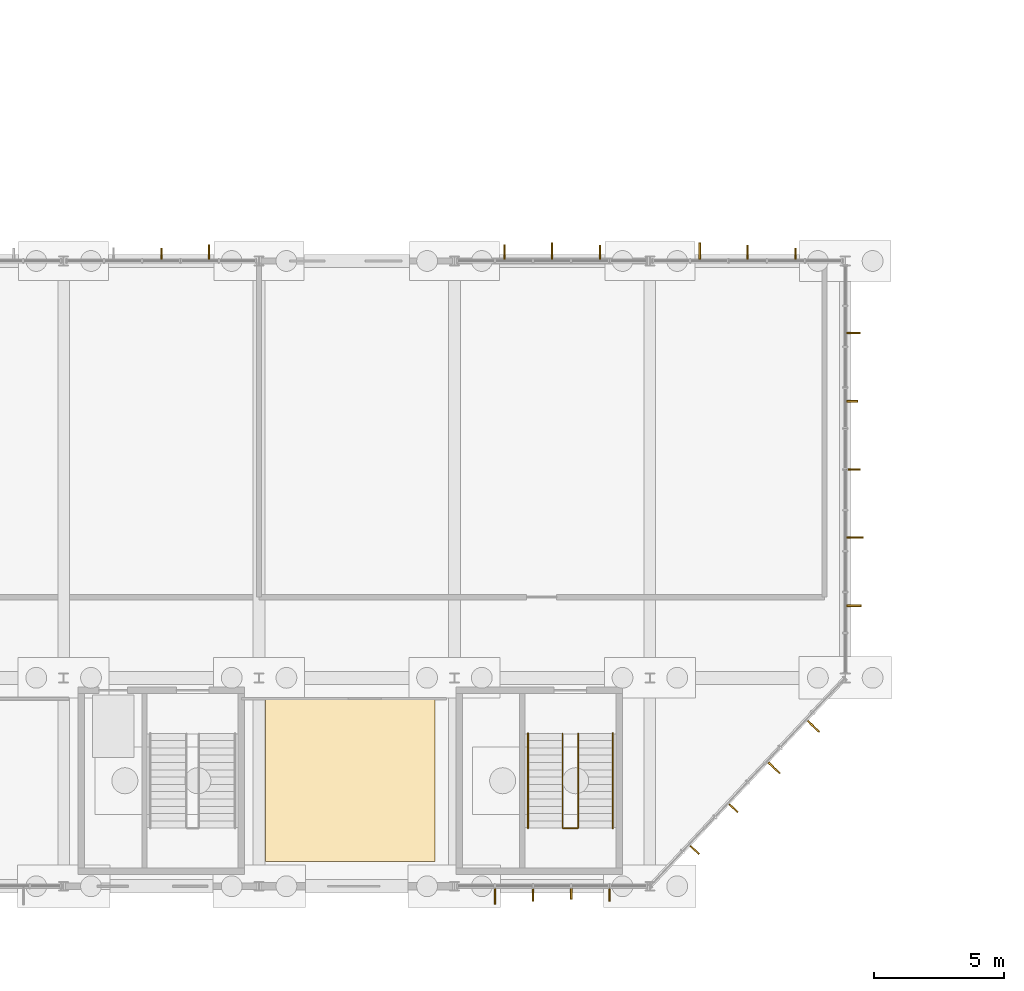
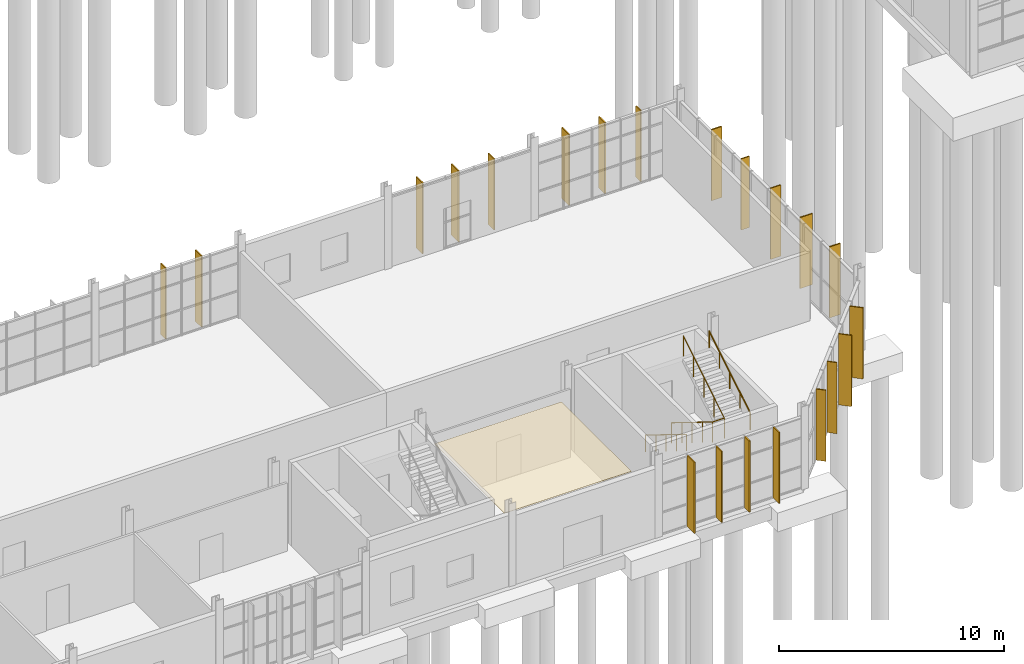
# One storey, part 122 of 136: 22 coverings, 3 railings.
"""IFC4 building model written with IfcOpenShell, lengths in metres."""

from ifc_helpers import new_model, si_unit, direction, frame, origin, origin_2d, place, context, subcontext, project, spatial, polyline, rectangle, circle, outline, extrude, material, layer, layer_set, type_object, element, save


model = new_model("IFC4")

# Units and contexts
model_context = context("Model", 3, precision=1e-05, world=origin(), true_north=direction((0.0, 1.0)))
body_context = subcontext(model_context, "Body", "Model", "MODEL_VIEW")
ifc_project = project(units=[si_unit("LENGTHUNIT", "METRE"), si_unit("AREAUNIT", "SQUARE_METRE"), si_unit("VOLUMEUNIT", "CUBIC_METRE"), si_unit("PLANEANGLEUNIT", "RADIAN"), si_unit("MASSUNIT", "GRAM", prefix="KILO")], contexts=[model_context])

# Site, building, storey
site_placement = place(None, origin())
site = spatial("IfcSite", under=ifc_project, at=site_placement, CompositionType="ELEMENT")
building_placement = place(site_placement, origin())
building = spatial("IfcBuilding", under=site, at=building_placement, Name="Solvenia Promenade Tram Depot", CompositionType="ELEMENT")
storey_placement = place(building_placement, origin())
storey = spatial("IfcBuildingStorey", under=building, at=storey_placement, Name="L00", CompositionType="ELEMENT", Elevation=0.0)

# Coverings
ifc_material_1 = material(Name="Mineral-fibre acoustic ceiling tile", Category="other")
ifc_layer_1 = layer(ifc_material_1, 0.02001953125, Name="Mineral-fibre acoustic ceiling tile", Category="other")
ifc_layer_set_1 = layer_set([ifc_layer_1], Name="Mineral-fibre acoustic ceiling tile")
covering_type_1 = type_object("IfcCoveringType", Name="Ceiling-Acoustic-20", PredefinedType="CEILING", material=ifc_layer_set_1)
covering_1_placement = place(storey_placement, frame((0.0, 0.0, 3.14990234375)))
element("IfcCovering", 1, at=covering_1_placement, inside=storey, type_object=covering_type_1, Name="First Aid Triage Room Acoustic Ceiling", PredefinedType="CEILING", context=body_context, shape_type="SweptSolid", body=[
    extrude(outline(polyline([(67.75, 0.949951171875), (74.25, 0.949951171875), (74.25, 7.159912109375), (67.75, 7.159912109375), (67.75, 0.949951171875)])), origin(), (0.0, 0.0, 1.0), 0.02001953125),
])
ifc_material_2 = material(Name="Anodized aluminium AW-6063 T6", Category="aluminium")
ifc_layer_2 = layer(ifc_material_2, 0.06005859375, Name="Anodized aluminium AW-6063 T6", Category="aluminium")
ifc_layer_set_2 = layer_set([ifc_layer_2], Name="Anodized aluminium AW-6063 T6")
covering_type_2 = type_object("IfcCoveringType", Name="Fin-Param-560", PredefinedType="CLADDING", material=ifc_layer_set_2)
covering_2_placement = place(storey_placement, frame((84.22216796875, 1.3916015625, 0.0), z_axis=(0.0, 0.0, 1.0), x_axis=(0.683910700219, 0.729565729819, 0.0)))
element("IfcCovering", 2, at=covering_2_placement, inside=storey, type_object=covering_type_2, Name="Parametric Vertical Brise-Soleil Fin 257", PredefinedType="CLADDING", context=body_context, shape_type="SweptSolid", body=[
    extrude(rectangle(XDim=0.06005859375, YDim=0.458984375, at=origin_2d()), origin(), (0.0, 0.0, 1.0), 3.85009765625),
])
covering_3_placement = place(storey_placement, frame((85.717041015625, 2.99658203125, 0.0), z_axis=(0.0, 0.0, 1.0), x_axis=(0.683910700219, 0.729565729819, 0.0)))
element("IfcCovering", 3, at=covering_3_placement, inside=storey, type_object=covering_type_2, Name="Parametric Vertical Brise-Soleil Fin 258", PredefinedType="CLADDING", context=body_context, shape_type="SweptSolid", body=[
    extrude(rectangle(XDim=0.06005859375, YDim=0.445068359375, at=origin_2d()), origin(), (0.0, 0.0, 1.0), 3.85009765625),
])
covering_4_placement = place(storey_placement, frame((87.273193359375, 4.5439453125, 0.0), z_axis=(0.0, 0.0, 1.0), x_axis=(0.683910700219, 0.729565729819, 0.0)))
element("IfcCovering", 4, at=covering_4_placement, inside=storey, type_object=covering_type_2, Name="Parametric Vertical Brise-Soleil Fin 259", PredefinedType="CLADDING", context=body_context, shape_type="SweptSolid", body=[
    extrude(rectangle(XDim=0.06005859375, YDim=0.59912109375, at=origin_2d()), origin(), (0.0, 0.0, 1.0), 3.85009765625),
])
covering_5_placement = place(storey_placement, frame((88.77978515625, 6.1376953125, 0.0), z_axis=(0.0, 0.0, 1.0), x_axis=(0.683910700219, 0.729565729819, 0.0)))
element("IfcCovering", 5, at=covering_5_placement, inside=storey, type_object=covering_type_2, Name="Parametric Vertical Brise-Soleil Fin 260", PredefinedType="CLADDING", context=body_context, shape_type="SweptSolid", body=[
    extrude(rectangle(XDim=0.06005859375, YDim=0.616943359375, at=origin_2d()), origin(), (0.0, 0.0, 1.0), 3.85009765625),
])
covering_6_placement = place(storey_placement, frame((76.548095703125, -0.384033203125, 0.0), z_axis=(0.0, 0.0, 1.0), x_axis=(1.0, 0.0, 0.0)))
element("IfcCovering", 6, at=covering_6_placement, inside=storey, type_object=covering_type_2, Name="Parametric Vertical Brise-Soleil Fin 277", PredefinedType="CLADDING", context=body_context, shape_type="SweptSolid", body=[
    extrude(rectangle(XDim=0.06005859375, YDim=0.617919921875, at=origin_2d()), origin(), (0.0, 0.0, 1.0), 3.85009765625),
])
covering_7_placement = place(storey_placement, frame((78.01611328125, -0.322021484375, 0.0), z_axis=(0.0, 0.0, 1.0), x_axis=(1.0, 0.0, 0.0)))
element("IfcCovering", 7, at=covering_7_placement, inside=storey, type_object=covering_type_2, Name="Parametric Vertical Brise-Soleil Fin 278", PredefinedType="CLADDING", context=body_context, shape_type="SweptSolid", body=[
    extrude(rectangle(XDim=0.06005859375, YDim=0.493896484375, at=origin_2d()), origin(), (0.0, 0.0, 1.0), 3.85009765625),
])
covering_8_placement = place(storey_placement, frame((79.48388671875, -0.284912109375, 0.0), z_axis=(0.0, 0.0, 1.0), x_axis=(1.0, 0.0, 0.0)))
element("IfcCovering", 8, at=covering_8_placement, inside=storey, type_object=covering_type_2, Name="Parametric Vertical Brise-Soleil Fin 279", PredefinedType="CLADDING", context=body_context, shape_type="SweptSolid", body=[
    extrude(rectangle(XDim=0.06005859375, YDim=0.419921875, at=origin_2d()), origin(), (0.0, 0.0, 1.0), 3.85009765625),
])
covering_9_placement = place(storey_placement, frame((80.951904296875, -0.324951171875, 0.0), z_axis=(0.0, 0.0, 1.0), x_axis=(1.0, 0.0, 0.0)))
element("IfcCovering", 9, at=covering_9_placement, inside=storey, type_object=covering_type_2, Name="Parametric Vertical Brise-Soleil Fin 280", PredefinedType="CLADDING", context=body_context, shape_type="SweptSolid", body=[
    extrude(rectangle(XDim=0.06005859375, YDim=0.5, at=origin_2d()), origin(), (0.0, 0.0, 1.0), 3.85009765625),
])
covering_10_placement = place(storey_placement, frame((63.75, 24.277099609375, 0.0), z_axis=(0.0, 0.0, 1.0), x_axis=(1.0, 0.0, 0.0)))
element("IfcCovering", 10, at=covering_10_placement, inside=storey, type_object=covering_type_2, Name="Parametric Vertical Brise-Soleil Fin 288", PredefinedType="CLADDING", context=body_context, shape_type="SweptSolid", body=[
    extrude(rectangle(XDim=0.06005859375, YDim=0.43408203125, at=origin_2d()), origin(), (0.0, 0.0, 1.0), 3.85009765625),
])
covering_11_placement = place(storey_placement, frame((65.5849609375, 24.340087890625, 0.0), z_axis=(0.0, 0.0, 1.0), x_axis=(1.0, 0.0, 0.0)))
element("IfcCovering", 11, at=covering_11_placement, inside=storey, type_object=covering_type_2, Name="Parametric Vertical Brise-Soleil Fin 289", PredefinedType="CLADDING", context=body_context, shape_type="SweptSolid", body=[
    extrude(rectangle(XDim=0.06005859375, YDim=0.56005859375, at=origin_2d()), origin(), (0.0, 0.0, 1.0), 3.85009765625),
])
covering_12_placement = place(storey_placement, frame((76.9150390625, 24.342041015625, 0.0), z_axis=(0.0, 0.0, 1.0), x_axis=(1.0, 0.0, 0.0)))
element("IfcCovering", 12, at=covering_12_placement, inside=storey, type_object=covering_type_2, Name="Parametric Vertical Brise-Soleil Fin 290", PredefinedType="CLADDING", context=body_context, shape_type="SweptSolid", body=[
    extrude(rectangle(XDim=0.06005859375, YDim=0.56396484375, at=origin_2d()), origin(), (0.0, 0.0, 1.0), 3.85009765625),
])
covering_13_placement = place(storey_placement, frame((78.75, 24.3798828125, 0.0), z_axis=(0.0, 0.0, 1.0), x_axis=(1.0, 0.0, 0.0)))
element("IfcCovering", 13, at=covering_13_placement, inside=storey, type_object=covering_type_2, Name="Parametric Vertical Brise-Soleil Fin 291", PredefinedType="CLADDING", context=body_context, shape_type="SweptSolid", body=[
    extrude(rectangle(XDim=0.06005859375, YDim=0.639892578125, at=origin_2d()), origin(), (0.0, 0.0, 1.0), 3.85009765625),
])
covering_14_placement = place(storey_placement, frame((80.5849609375, 24.333984375, 0.0), z_axis=(0.0, 0.0, 1.0), x_axis=(1.0, 0.0, 0.0)))
element("IfcCovering", 14, at=covering_14_placement, inside=storey, type_object=covering_type_2, Name="Parametric Vertical Brise-Soleil Fin 292", PredefinedType="CLADDING", context=body_context, shape_type="SweptSolid", body=[
    extrude(rectangle(XDim=0.06005859375, YDim=0.548095703125, at=origin_2d()), origin(), (0.0, 0.0, 1.0), 3.85009765625),
])
covering_15_placement = place(storey_placement, frame((84.4150390625, 24.3798828125, 0.0), z_axis=(0.0, 0.0, 1.0), x_axis=(1.0, 0.0, 0.0)))
element("IfcCovering", 15, at=covering_15_placement, inside=storey, type_object=covering_type_2, Name="Parametric Vertical Brise-Soleil Fin 293", PredefinedType="CLADDING", context=body_context, shape_type="SweptSolid", body=[
    extrude(rectangle(XDim=0.06005859375, YDim=0.639892578125, at=origin_2d()), origin(), (0.0, 0.0, 1.0), 3.85009765625),
])
covering_16_placement = place(storey_placement, frame((86.25, 24.3330078125, 0.0), z_axis=(0.0, 0.0, 1.0), x_axis=(1.0, 0.0, 0.0)))
element("IfcCovering", 16, at=covering_16_placement, inside=storey, type_object=covering_type_2, Name="Parametric Vertical Brise-Soleil Fin 294", PredefinedType="CLADDING", context=body_context, shape_type="SweptSolid", body=[
    extrude(rectangle(XDim=0.06005859375, YDim=0.5458984375, at=origin_2d()), origin(), (0.0, 0.0, 1.0), 3.85009765625),
])
covering_17_placement = place(storey_placement, frame((88.0849609375, 24.27392578125, 0.0), z_axis=(0.0, 0.0, 1.0), x_axis=(1.0, 0.0, 0.0)))
element("IfcCovering", 17, at=covering_17_placement, inside=storey, type_object=covering_type_2, Name="Parametric Vertical Brise-Soleil Fin 295", PredefinedType="CLADDING", context=body_context, shape_type="SweptSolid", body=[
    extrude(rectangle(XDim=0.06005859375, YDim=0.427978515625, at=origin_2d()), origin(), (0.0, 0.0, 1.0), 3.85009765625),
])
covering_18_placement = place(storey_placement, frame((90.340576171875, 10.7666015625, 0.0), z_axis=(0.0, 0.0, 1.0), x_axis=(0.0, 1.0, 0.0)))
element("IfcCovering", 18, at=covering_18_placement, inside=storey, type_object=covering_type_2, Name="Parametric Vertical Brise-Soleil Fin 301", PredefinedType="CLADDING", context=body_context, shape_type="SweptSolid", body=[
    extrude(rectangle(XDim=0.06005859375, YDim=0.56103515625, at=origin_2d()), origin(), (0.0, 0.0, 1.0), 3.85009765625),
])
covering_19_placement = place(storey_placement, frame((90.37890625, 13.38330078125, 0.0), z_axis=(0.0, 0.0, 1.0), x_axis=(0.0, 1.0, 0.0)))
element("IfcCovering", 19, at=covering_19_placement, inside=storey, type_object=covering_type_2, Name="Parametric Vertical Brise-Soleil Fin 302", PredefinedType="CLADDING", context=body_context, shape_type="SweptSolid", body=[
    extrude(rectangle(XDim=0.06005859375, YDim=0.637939453125, at=origin_2d()), origin(), (0.0, 0.0, 1.0), 3.85009765625),
])
covering_20_placement = place(storey_placement, frame((90.320068359375, 16.0, 0.0), z_axis=(0.0, 0.0, 1.0), x_axis=(0.0, 1.0, 0.0)))
element("IfcCovering", 20, at=covering_20_placement, inside=storey, type_object=covering_type_2, Name="Parametric Vertical Brise-Soleil Fin 303", PredefinedType="CLADDING", context=body_context, shape_type="SweptSolid", body=[
    extrude(rectangle(XDim=0.06005859375, YDim=0.52001953125, at=origin_2d()), origin(), (0.0, 0.0, 1.0), 3.85009765625),
])
covering_21_placement = place(storey_placement, frame((90.27001953125, 18.61669921875, 0.0), z_axis=(0.0, 0.0, 1.0), x_axis=(0.0, 1.0, 0.0)))
element("IfcCovering", 21, at=covering_21_placement, inside=storey, type_object=covering_type_2, Name="Parametric Vertical Brise-Soleil Fin 304", PredefinedType="CLADDING", context=body_context, shape_type="SweptSolid", body=[
    extrude(rectangle(XDim=0.06005859375, YDim=0.419921875, at=origin_2d()), origin(), (0.0, 0.0, 1.0), 3.85009765625),
])
covering_22_placement = place(storey_placement, frame((90.319091796875, 21.2333984375, 0.0), z_axis=(0.0, 0.0, 1.0), x_axis=(0.0, 1.0, 0.0)))
element("IfcCovering", 22, at=covering_22_placement, inside=storey, type_object=covering_type_2, Name="Parametric Vertical Brise-Soleil Fin 305", PredefinedType="CLADDING", context=body_context, shape_type="SweptSolid", body=[
    extrude(rectangle(XDim=0.06005859375, YDim=0.51806640625, at=origin_2d()), origin(), (0.0, 0.0, 1.0), 3.85009765625),
])

# Railings
railing_type_1 = type_object("IfcRailingType", Name="Guard-Stair-1100", PredefinedType="GUARDRAIL", material=ifc_material_2)
railing_1_placement = place(storey_placement, frame((79.14990234375, 5.8701171875, 0.0)))
element("IfcRailing", 23, at=railing_1_placement, inside=storey, type_object=railing_type_1, Name="Stair Inner Well Guard ST-04-L00", PredefinedType="GUARDRAIL", context=body_context, shape_type="SweptSolid", body=[
    extrude(circle(Radius=0.02392578125, at=origin_2d()), frame((0.0, 0.0, 1.09619140625), z_axis=(0.0, -0.850622404505, 0.525777067734), x_axis=(1.0, 0.0, 0.0)), (0.0, 0.0, 1.0), 4.279296875),
    extrude(circle(Radius=0.02392578125, at=origin_2d()), frame((0.0, -3.64013671875, 3.34619140625), z_axis=(1.0, 0.0, 0.0), x_axis=(0.0, 1.0, 0.0)), (0.0, 0.0, 1.0), 0.60009765625),
    extrude(circle(Radius=0.02392578125, at=origin_2d()), frame((0.60009765625, -3.64013671875, 3.34619140625), z_axis=(0.0, 0.850622404505, 0.525777067734), x_axis=(-1.0, 0.0, 0.0)), (0.0, 0.0, 1.0), 4.279296875),
    extrude(circle(Radius=0.02099609375, at=origin_2d()), origin(), (0.0, 0.0, 1.0), 1.072021484375),
    extrude(circle(Radius=0.02099609375, at=origin_2d()), frame((0.0, -0.91015625, 0.5625)), (0.0, 0.0, 1.0), 1.072021484375),
    extrude(circle(Radius=0.02099609375, at=origin_2d()), frame((0.0, -1.820068359375, 1.125)), (0.0, 0.0, 1.0), 1.072021484375),
    extrude(circle(Radius=0.02099609375, at=origin_2d()), frame((0.0, -2.72998046875, 1.6875)), (0.0, 0.0, 1.0), 1.072021484375),
    extrude(circle(Radius=0.02099609375, at=origin_2d()), frame((0.0, -3.64013671875, 2.25)), (0.0, 0.0, 1.0), 1.072021484375),
    extrude(circle(Radius=0.02099609375, at=origin_2d()), frame((0.60009765625, -3.64013671875, 2.25)), (0.0, 0.0, 1.0), 1.072021484375),
    extrude(circle(Radius=0.02099609375, at=origin_2d()), frame((0.60009765625, -2.72998046875, 2.8125)), (0.0, 0.0, 1.0), 1.072021484375),
    extrude(circle(Radius=0.02099609375, at=origin_2d()), frame((0.60009765625, -1.820068359375, 3.375)), (0.0, 0.0, 1.0), 1.072021484375),
    extrude(circle(Radius=0.02099609375, at=origin_2d()), frame((0.60009765625, -0.91015625, 3.9375)), (0.0, 0.0, 1.0), 1.072021484375),
    extrude(circle(Radius=0.02099609375, at=origin_2d()), frame((0.60009765625, 0.0, 4.5)), (0.0, 0.0, 1.0), 1.072021484375),
])
railing_type_2 = type_object("IfcRailingType", Name="Handrail-Stair-920", PredefinedType="HANDRAIL", material=ifc_material_2)
railing_2_placement = place(storey_placement, frame((77.820068359375, 5.8701171875, 0.0)))
element("IfcRailing", 24, at=railing_2_placement, inside=storey, type_object=railing_type_2, Name="Stair Wall Handrail ST-04-L00-F1", PredefinedType="HANDRAIL", context=body_context, shape_type="SweptSolid", body=[
    extrude(circle(Radius=0.02392578125, at=origin_2d()), frame((0.0, 0.0, 0.89599609375), z_axis=(0.0, -0.850622404505, 0.525777067734), x_axis=(1.0, 0.0, 0.0)), (0.0, 0.0, 1.0), 4.279296875),
    extrude(circle(Radius=0.02099609375, at=origin_2d()), origin(), (0.0, 0.0, 1.0), 0.871826171875),
    extrude(circle(Radius=0.02099609375, at=origin_2d()), frame((0.0, -0.91015625, 0.5625)), (0.0, 0.0, 1.0), 0.871826171875),
    extrude(circle(Radius=0.02099609375, at=origin_2d()), frame((0.0, -1.820068359375, 1.125)), (0.0, 0.0, 1.0), 0.871826171875),
    extrude(circle(Radius=0.02099609375, at=origin_2d()), frame((0.0, -2.72998046875, 1.6875)), (0.0, 0.0, 1.0), 0.871826171875),
    extrude(circle(Radius=0.02099609375, at=origin_2d()), frame((0.0, -3.64013671875, 2.25)), (0.0, 0.0, 1.0), 0.871826171875),
])
railing_3_placement = place(storey_placement, frame((81.080078125, 2.22998046875, 2.25)))
element("IfcRailing", 25, at=railing_3_placement, inside=storey, type_object=railing_type_2, Name="Stair Wall Handrail ST-04-L00-F2", PredefinedType="HANDRAIL", context=body_context, shape_type="SweptSolid", body=[
    extrude(circle(Radius=0.02392578125, at=origin_2d()), frame((0.0, 0.0, 0.89599609375), z_axis=(0.0, 0.850622404505, 0.525777067734), x_axis=(-1.0, 0.0, 0.0)), (0.0, 0.0, 1.0), 4.279296875),
    extrude(circle(Radius=0.02099609375, at=origin_2d()), origin(), (0.0, 0.0, 1.0), 0.871826171875),
    extrude(circle(Radius=0.02099609375, at=origin_2d()), frame((0.0, 0.91015625, 0.5625)), (0.0, 0.0, 1.0), 0.871826171875),
    extrude(circle(Radius=0.02099609375, at=origin_2d()), frame((0.0, 1.820068359375, 1.125)), (0.0, 0.0, 1.0), 0.871826171875),
    extrude(circle(Radius=0.02099609375, at=origin_2d()), frame((0.0, 2.72998046875, 1.6875)), (0.0, 0.0, 1.0), 0.871826171875),
    extrude(circle(Radius=0.02099609375, at=origin_2d()), frame((0.0, 3.64013671875, 2.25)), (0.0, 0.0, 1.0), 0.871826171875),
])

save(model, "model.ifc")
